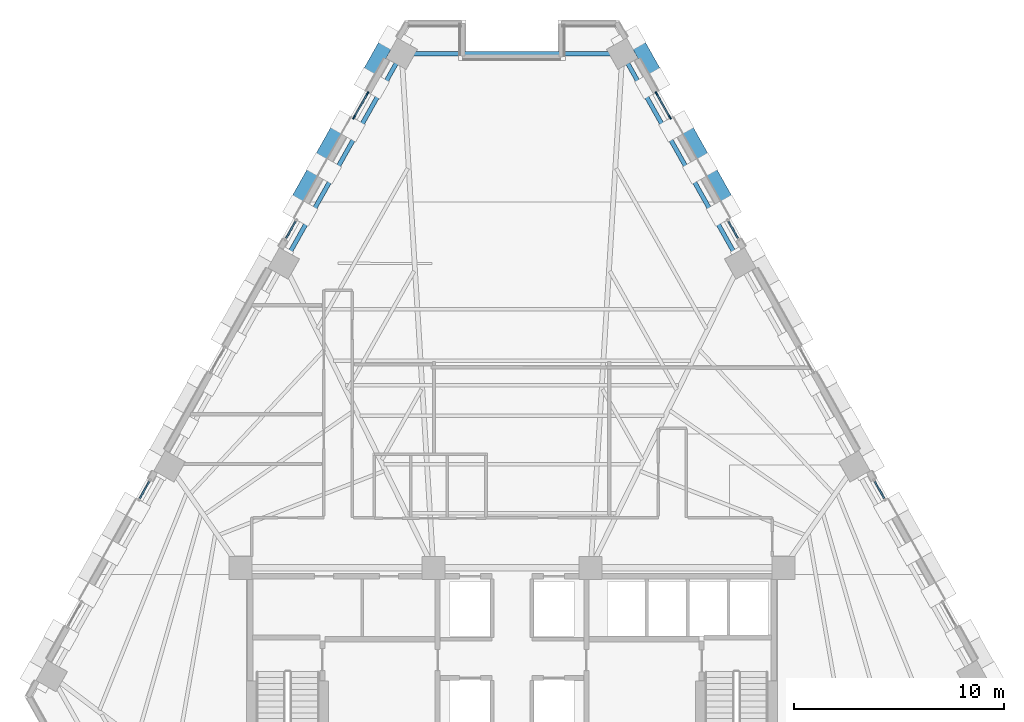
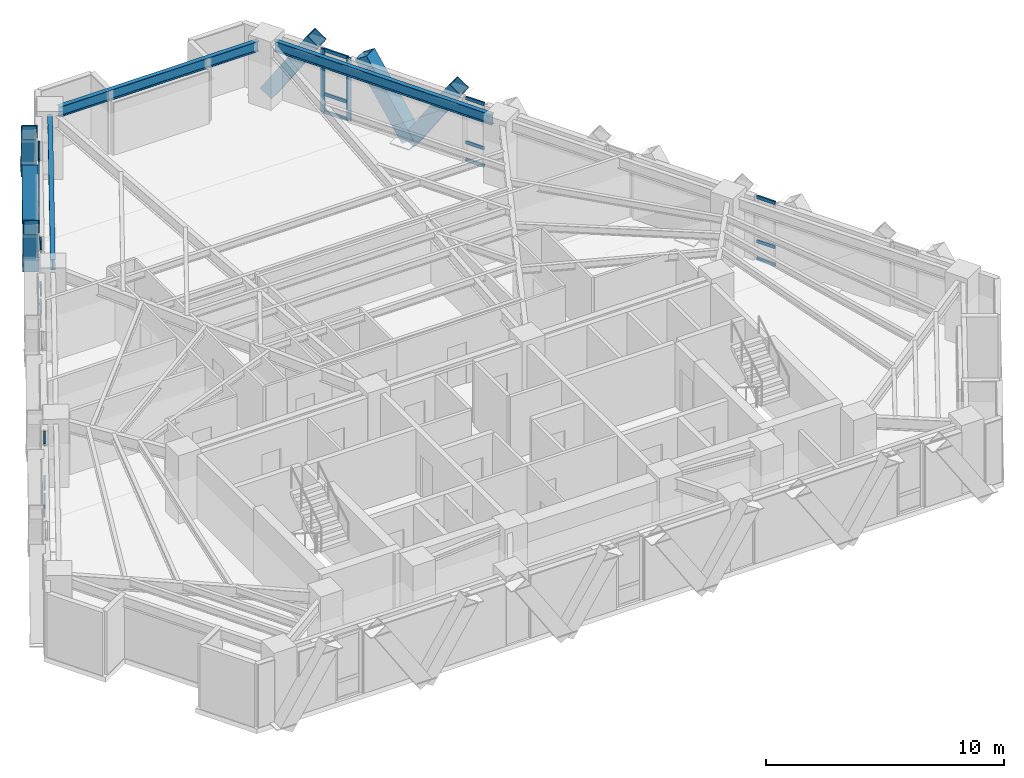
# One storey, part 5 of 13: 28 members, 3 beams, 6 elements without a shape of their own.
"""IFC4 building model written with IfcOpenShell, lengths in metres."""

import ifcopenshell
import ifcopenshell.guid

model = None  # the IFC model being written
_history = None  # IfcOwnerHistory: only IFC2X3 demands one
_inside = {}  # id of a spatial element -> (the spatial element, [elements in it])
_under = {}  # id of a project, library or spatial element -> (it, [spatial elements below it])
_declared = {}  # id of a project -> (the project, [libraries it declares])
_typed = {}  # id of a type object -> (the type object, [elements of that type])
_made_of = {}  # id of a material, layer set ... -> (it, [elements and type objects made of it])


def new_model(schema):
    """Start an empty IFC model of exactly this schema.

    Asked for "IFC4X3", IfcOpenShell would pick the latest addendum, in which some entities
    have other attributes; the version numbers below select the first issue.
    IFC2X3 requires an IfcOwnerHistory on every rooted entity: one is made here for all.
    """
    global model, _history
    if schema == "IFC4X3":
        model = ifcopenshell.file(schema_version=(4, 3, 0, 0))
    else:
        model = ifcopenshell.file(schema=schema)
    _inside.clear()
    _under.clear()
    _declared.clear()
    _typed.clear()
    _made_of.clear()
    _history = None
    if model.schema == "IFC2X3":
        org = make("IfcOrganization", Name="unknown")
        user = make(
            "IfcPersonAndOrganization",
            ThePerson=make("IfcPerson", FamilyName="unknown"),
            TheOrganization=org,
        )
        app = make(
            "IfcApplication",
            ApplicationDeveloper=org,
            Version="unknown",
            ApplicationFullName="unknown",
            ApplicationIdentifier="unknown",
        )
        _history = make(
            "IfcOwnerHistory",
            OwningUser=user,
            OwningApplication=app,
            ChangeAction="ADDED",
            CreationDate=0,
        )
    return model


def make(cls, **values):
    """One entity of the class cls with the attributes given. An attribute that is None is left unset."""
    return model.create_entity(
        cls, **{name: value for name, value in values.items() if value is not None}
    )


def rooted(cls, **values):
    """An entity with a GlobalId (a new one), such as an element, a storey or a relation."""
    return make(cls, GlobalId=ifcopenshell.guid.new(), OwnerHistory=_history, **values)


def si_unit(unit_type, name, prefix=None):
    """IfcSIUnit, for example si_unit("LENGTHUNIT", "METRE", prefix="MILLI")."""
    return make("IfcSIUnit", UnitType=unit_type, Prefix=prefix, Name=name)


def assignment(units):
    """IfcUnitAssignment: the units of a project."""
    return None if units is None else make("IfcUnitAssignment", Units=units)


def point(xyz):
    """IfcCartesianPoint."""
    return None if xyz is None else make("IfcCartesianPoint", Coordinates=xyz)


def direction(xyz):
    """IfcDirection."""
    return None if xyz is None else make("IfcDirection", DirectionRatios=xyz)


def frame(location, z_axis=None, x_axis=None):
    """IfcAxis2Placement3D, a coordinate frame: its origin and axes. An axis left out is left unset."""
    return make(
        "IfcAxis2Placement3D",
        Location=point(location),
        Axis=direction(z_axis),
        RefDirection=direction(x_axis),
    )


def frame_2d(location, x_axis=None):
    """IfcAxis2Placement2D, a coordinate frame in the plane: its origin and x axis."""
    return make(
        "IfcAxis2Placement2D", Location=point(location), RefDirection=direction(x_axis)
    )


def origin():
    """The frame at (0, 0, 0) with its axes left unset."""
    return frame((0.0, 0.0, 0.0))


def origin_2d():
    """The frame at (0, 0) in the plane with its x axis left unset."""
    return frame_2d((0.0, 0.0))


def place(relative_to, where):
    """IfcLocalPlacement: puts the frame where relative to a parent placement (None: the world)."""
    return make(
        "IfcLocalPlacement", PlacementRelTo=relative_to, RelativePlacement=where
    )


def context(
    kind, dimensions, precision=None, world=None, true_north=None, identifier=None
):
    """IfcGeometricRepresentationContext, for example the 3D "Model" context."""
    return make(
        "IfcGeometricRepresentationContext",
        ContextIdentifier=identifier,
        ContextType=kind,
        CoordinateSpaceDimension=dimensions,
        Precision=precision,
        WorldCoordinateSystem=world,
        TrueNorth=true_north,
    )


def subcontext(parent, identifier, kind, view, scale=None):
    """IfcGeometricRepresentationSubContext, for example "Body" below "Model"."""
    return make(
        "IfcGeometricRepresentationSubContext",
        ContextIdentifier=identifier,
        ContextType=kind,
        ParentContext=parent,
        TargetScale=scale,
        TargetView=view,
    )


def project(units=None, contexts=None):
    """IfcProject with its units and contexts."""
    return rooted(
        "IfcProject",
        Name="project",
        RepresentationContexts=contexts,
        UnitsInContext=assignment(units),
    )


def spatial(cls, under=None, at=None, **own):
    """A site, building, storey or space (cls), placed at a placement, below another one or the project."""
    s = rooted(cls, ObjectPlacement=at, **own)
    if under is not None:
        _under.setdefault(under.id(), (under, []))[1].append(s)
    return s


def profile(cls, at=None, kind="AREA", **sizes):
    """A parametric profile (cls). Its sizes go by their IFC names, for example OverallWidth=200.0."""
    return make(cls, ProfileType=kind, Position=at, **sizes)


def rectangle(**sizes):
    """IfcRectangleProfileDef."""
    return profile("IfcRectangleProfileDef", **sizes)


def hollow_rectangle(**sizes):
    """IfcRectangleHollowProfileDef."""
    return profile("IfcRectangleHollowProfileDef", **sizes)


def i_section(**sizes):
    """IfcIShapeProfileDef."""
    return profile("IfcIShapeProfileDef", **sizes)


def extrude(swept, where, along, depth):
    """IfcExtrudedAreaSolid: the profile swept, set in the frame where, extruded along a direction by depth."""
    return make(
        "IfcExtrudedAreaSolid",
        SweptArea=swept,
        Position=where,
        ExtrudedDirection=direction(along),
        Depth=depth,
    )


def shape(context_of_items, identifier, shape_type, items):
    """IfcShapeRepresentation: the items that make up one representation, for example the "Body"."""
    return make(
        "IfcShapeRepresentation",
        ContextOfItems=context_of_items,
        RepresentationIdentifier=identifier,
        RepresentationType=shape_type,
        Items=items,
    )


def material(Name=None, Category=None):
    """IfcMaterial."""
    return make("IfcMaterial", Name=Name, Category=Category)


def material_profile(
    of_material, cross_section, Name=None, Category=None, Priority=None
):
    """IfcMaterialProfile: a cross section and its material."""
    return make(
        "IfcMaterialProfile",
        Name=Name,
        Material=of_material,
        Profile=cross_section,
        Priority=Priority,
        Category=Category,
    )


def profile_set(profiles, Name=None, composite=None):
    """IfcMaterialProfileSet."""
    return make(
        "IfcMaterialProfileSet",
        Name=Name,
        MaterialProfiles=profiles,
        CompositeProfile=composite,
    )


def made_of(thing, what):
    """Note that an element or type object is made of a material, layer set ...; save() writes the relation."""
    if what is not None:
        _made_of.setdefault(what.id(), (what, []))[1].append(thing)
    return thing


def type_object(cls, material=None, **own):
    """A type object (cls), such as IfcWallType, which elements share."""
    return made_of(rooted(cls, **own), material)


def element(
    cls,
    number,
    at=None,
    inside=None,
    cuts=None,
    type_object=None,
    material=None,
    context=None,
    identifier="Body",
    shape_type=None,
    held_by="IfcProductDefinitionShape",
    body=None,
    shapes=None,
    **own,
):
    """One element of the class cls, such as IfcWall. Its Tag is "e" and its number.

    at: its placement. inside: the storey or other place that contains it. cuts: it is an
    opening in that element (IfcRelVoidsElement). A single representation is given by context,
    identifier, shape_type and body (its items); several are given by shapes. held_by: the class
    of the entity that holds the representations. save() writes the other relations.
    """
    e = rooted(cls, Tag="e%d" % number, ObjectPlacement=at, **own)
    if body is not None:
        shapes = [shape(context, identifier, shape_type, body)]
    if shapes is not None:
        e.Representation = make(held_by, Representations=shapes)
    if inside is not None:
        _inside.setdefault(inside.id(), (inside, []))[1].append(e)
    if cuts is not None:
        rooted(
            "IfcRelVoidsElement", RelatingBuildingElement=cuts, RelatedOpeningElement=e
        )
    if type_object is not None:
        _typed.setdefault(type_object.id(), (type_object, []))[1].append(e)
    return made_of(e, material)


def aggregate(whole, parts):
    """IfcRelAggregates: a whole, such as a stair, and the parts it consists of."""
    return rooted("IfcRelAggregates", RelatingObject=whole, RelatedObjects=parts)


def save(model, path):
    """Write the relations noted so far, then the file.

    IfcRelAggregates (storeys below a building ...), IfcRelContainedInSpatialStructure (elements
    in a storey), IfcRelDefinesByType, IfcRelAssociatesMaterial and IfcRelDeclares: one each for
    every whole, place, type object, material and project.
    """
    for whole, parts in _under.values():
        aggregate(whole, parts)
    for where, things in _inside.values():
        rooted(
            "IfcRelContainedInSpatialStructure",
            RelatedElements=things,
            RelatingStructure=where,
        )
    for kind, things in _typed.values():
        rooted("IfcRelDefinesByType", RelatedObjects=things, RelatingType=kind)
    for what, things in _made_of.values():
        rooted("IfcRelAssociatesMaterial", RelatedObjects=things, RelatingMaterial=what)
    for by, libraries in _declared.values():
        rooted("IfcRelDeclares", RelatingContext=by, RelatedDefinitions=libraries)
    model.write(path)


model = new_model("IFC4")

# Units and contexts
model_context = context("Model", 3, precision=1e-05, world=origin(), true_north=direction((0.0, 1.0)))
body_context = subcontext(model_context, "Body", "Model", "MODEL_VIEW")
ifc_project = project(units=[si_unit("LENGTHUNIT", "METRE"), si_unit("AREAUNIT", "SQUARE_METRE"), si_unit("VOLUMEUNIT", "CUBIC_METRE"), si_unit("PLANEANGLEUNIT", "RADIAN"), si_unit("MASSUNIT", "GRAM", prefix="KILO")], contexts=[model_context])

# Site, building, storey
site_placement = place(None, origin())
site = spatial("IfcSite", under=ifc_project, at=site_placement, CompositionType="ELEMENT")
building_placement = place(site_placement, origin())
building = spatial("IfcBuilding", under=site, at=building_placement, Name="Quenlor Broadcast Tower", CompositionType="ELEMENT")
storey_placement = place(building_placement, frame((0.0, 0.0, 119.5)))
storey = spatial("IfcBuildingStorey", under=building, at=storey_placement, Name="L32", CompositionType="ELEMENT", Elevation=119.5)

# Curtain wall, members
ifc_material_1 = material(Name="Architectural Terracotta and Low-E Glazing", Category="masonry")
curtain_wall_type = type_object("IfcCurtainWallType", Name="Unitised Terracotta Curtain Wall System Z2", PredefinedType="NOTDEFINED", material=ifc_material_1)
curtain_wall_1_placement = place(storey_placement, origin())
curtain_wall_1 = element("IfcCurtainWall", 1, at=curtain_wall_1_placement, inside=storey, type_object=curtain_wall_type, Name="L32 Curtain Wall CW2 (L32-NEA-G1)", PredefinedType="NOTDEFINED")
ifc_material_2 = material(Name="Aluminium 6063-T6", Category="aluminium")
ifc_material_profile_1 = material_profile(ifc_material_2, rectangle(XDim=0.074951171875, YDim=0.199951171875, at=origin_2d()))
ifc_profile_set_1 = profile_set([ifc_material_profile_1], Name="Aluminium 6063-T6 MULL75x200")
member_type_1 = type_object("IfcMemberType", Name="CW2 Aluminium Mullion MULL_CW2", PredefinedType="MULLION", material=ifc_profile_set_1)
member_1_placement = place(storey_placement, frame((6.893310546875, 17.81884765625, 0.0), z_axis=(0.0, 0.0, 1.0), x_axis=(0.871583366376, 0.490247320704, 0.0)))
member_1 = element("IfcMember", 2, at=member_1_placement, type_object=member_type_1, Name="CW2 mullion 1", PredefinedType="MULLION", context=body_context, shape_type="SweptSolid", body=[
    extrude(rectangle(XDim=0.074951171875, YDim=0.199951171875, at=origin_2d()), origin(), (0.0, 0.0, 1.0), 3.25),
])
member_2_placement = place(storey_placement, frame((7.525390625, 16.695068359375, 0.0), z_axis=(0.0, 0.0, 1.0), x_axis=(0.871583366376, 0.490247320704, 0.0)))
member_2 = element("IfcMember", 3, at=member_2_placement, type_object=member_type_1, Name="CW2 mullion 2", PredefinedType="MULLION", context=body_context, shape_type="SweptSolid", body=[
    extrude(rectangle(XDim=0.074951171875, YDim=0.199951171875, at=origin_2d()), origin(), (0.0, 0.0, 1.0), 3.25),
])

curtain_wall_2_placement = place(storey_placement, origin())
curtain_wall_2 = element("IfcCurtainWall", 4, at=curtain_wall_2_placement, inside=storey, type_object=curtain_wall_type, Name="L32 Curtain Wall CW2 (L32-NWC-G2)", PredefinedType="NOTDEFINED")
member_3_placement = place(storey_placement, frame((-7.525390625, 16.695068359375, 0.0), z_axis=(0.0, 0.0, 1.0), x_axis=(-0.871583366376, 0.490247320704, 0.0)))
member_3 = element("IfcMember", 5, at=member_3_placement, type_object=member_type_1, Name="CW2 mullion 1", PredefinedType="MULLION", context=body_context, shape_type="SweptSolid", body=[
    extrude(rectangle(XDim=0.074951171875, YDim=0.199951171875, at=origin_2d()), origin(), (0.0, 0.0, 1.0), 3.25),
])
member_4_placement = place(storey_placement, frame((-6.893310546875, 17.81884765625, 0.0), z_axis=(0.0, 0.0, 1.0), x_axis=(-0.871583366376, 0.490247320704, 0.0)))
member_4 = element("IfcMember", 6, at=member_4_placement, type_object=member_type_1, Name="CW2 mullion 2", PredefinedType="MULLION", context=body_context, shape_type="SweptSolid", body=[
    extrude(rectangle(XDim=0.074951171875, YDim=0.199951171875, at=origin_2d()), origin(), (0.0, 0.0, 1.0), 3.25),
])

# Member
ifc_material_3 = material(Name="Aluminium 6063-T6", Category="aluminium")
ifc_material_profile_2 = material_profile(ifc_material_3, rectangle(XDim=0.074951171875, YDim=0.1650390625, at=origin_2d()))
ifc_profile_set_2 = profile_set([ifc_material_profile_2], Name="Aluminium 6063-T6 TRAN75x165")
member_type_2 = type_object("IfcMemberType", Name="CW2 Aluminium Transom TRAN_CW2", PredefinedType="USERDEFINED", material=ifc_profile_set_2)
member_5_placement = place(storey_placement, frame((6.91162109375, 17.7861328125, 0.03759765625), z_axis=(0.490347143438, -0.871527210661, 0.0), x_axis=(0.871527210661, 0.490347143438, 0.0)))
member_5 = element("IfcMember", 7, at=member_5_placement, type_object=member_type_2, Name="CW2 transom 1.1", ObjectType="TRANSOM", PredefinedType="USERDEFINED", context=body_context, shape_type="SweptSolid", body=[
    extrude(rectangle(XDim=0.074951171875, YDim=0.1650390625, at=origin_2d()), origin(), (0.0, 0.0, 1.0), 1.21435546875),
])

member_6_placement = place(storey_placement, frame((6.91162109375, 17.7861328125, 0.949951171875), z_axis=(0.490347143438, -0.871527210661, 0.0), x_axis=(0.871527210661, 0.490347143438, 0.0)))
member_6 = element("IfcMember", 8, at=member_6_placement, type_object=member_type_2, Name="CW2 transom 1.2", ObjectType="TRANSOM", PredefinedType="USERDEFINED", context=body_context, shape_type="SweptSolid", body=[
    extrude(rectangle(XDim=0.074951171875, YDim=0.1650390625, at=origin_2d()), origin(), (0.0, 0.0, 1.0), 1.21435546875),
])

member_7_placement = place(storey_placement, frame((6.91162109375, 17.7861328125, 3.21240234375), z_axis=(0.490347143438, -0.871527210661, 0.0), x_axis=(0.871527210661, 0.490347143438, 0.0)))
member_7 = element("IfcMember", 9, at=member_7_placement, type_object=member_type_2, Name="CW2 transom 1.3", ObjectType="TRANSOM", PredefinedType="USERDEFINED", context=body_context, shape_type="SweptSolid", body=[
    extrude(rectangle(XDim=0.074951171875, YDim=0.1650390625, at=origin_2d()), origin(), (0.0, 0.0, 1.0), 1.21435546875),
])

aggregate(curtain_wall_1, [member_1, member_2, member_5, member_6, member_7])

# Curtain wall, members
curtain_wall_3_placement = place(storey_placement, origin())
curtain_wall_3 = element("IfcCurtainWall", 10, at=curtain_wall_3_placement, inside=storey, type_object=curtain_wall_type, Name="L32 Curtain Wall CW2 (L32-NEA-G2)", PredefinedType="NOTDEFINED")
member_8_placement = place(storey_placement, frame((10.32470703125, 11.718505859375, 0.03759765625), z_axis=(0.490363403455, -0.871518062092, 0.0), x_axis=(0.871518062092, 0.490363403455, 0.0)))
member_8 = element("IfcMember", 11, at=member_8_placement, type_object=member_type_2, Name="CW2 transom 1.1", ObjectType="TRANSOM", PredefinedType="USERDEFINED", context=body_context, shape_type="SweptSolid", body=[
    extrude(rectangle(XDim=0.074951171875, YDim=0.1650390625, at=origin_2d()), origin(), (0.0, 0.0, 1.0), 0.90771484375),
])
member_9_placement = place(storey_placement, frame((10.32470703125, 11.718505859375, 0.949951171875), z_axis=(0.490363403455, -0.871518062092, 0.0), x_axis=(0.871518062092, 0.490363403455, 0.0)))
member_9 = element("IfcMember", 12, at=member_9_placement, type_object=member_type_2, Name="CW2 transom 1.2", ObjectType="TRANSOM", PredefinedType="USERDEFINED", context=body_context, shape_type="SweptSolid", body=[
    extrude(rectangle(XDim=0.074951171875, YDim=0.1650390625, at=origin_2d()), origin(), (0.0, 0.0, 1.0), 0.90771484375),
])
member_10_placement = place(storey_placement, frame((10.32470703125, 11.718505859375, 3.21240234375), z_axis=(0.490363403455, -0.871518062092, 0.0), x_axis=(0.871518062092, 0.490363403455, 0.0)))
member_10 = element("IfcMember", 13, at=member_10_placement, type_object=member_type_2, Name="CW2 transom 1.3", ObjectType="TRANSOM", PredefinedType="USERDEFINED", context=body_context, shape_type="SweptSolid", body=[
    extrude(rectangle(XDim=0.074951171875, YDim=0.1650390625, at=origin_2d()), origin(), (0.0, 0.0, 1.0), 0.90771484375),
])
aggregate(curtain_wall_3, [member_8, member_9, member_10])

curtain_wall_4_placement = place(storey_placement, origin())
curtain_wall_4 = element("IfcCurtainWall", 14, at=curtain_wall_4_placement, inside=storey, type_object=curtain_wall_type, Name="L32 Curtain Wall CW2 (L32-NEC-G1)", PredefinedType="NOTDEFINED")
member_11_placement = place(storey_placement, frame((17.30126953125, -0.684326171875, 0.03759765625), z_axis=(0.490363403455, -0.871518062092, 0.0), x_axis=(0.871518062092, 0.490363403455, 0.0)))
member_11 = element("IfcMember", 15, at=member_11_placement, type_object=member_type_2, Name="CW2 transom 1.1", ObjectType="TRANSOM", PredefinedType="USERDEFINED", context=body_context, shape_type="SweptSolid", body=[
    extrude(rectangle(XDim=0.074951171875, YDim=0.1650390625, at=origin_2d()), origin(), (0.0, 0.0, 1.0), 0.90771484375),
])
member_12_placement = place(storey_placement, frame((17.30126953125, -0.684326171875, 0.949951171875), z_axis=(0.490363403455, -0.871518062092, 0.0), x_axis=(0.871518062092, 0.490363403455, 0.0)))
member_12 = element("IfcMember", 16, at=member_12_placement, type_object=member_type_2, Name="CW2 transom 1.2", ObjectType="TRANSOM", PredefinedType="USERDEFINED", context=body_context, shape_type="SweptSolid", body=[
    extrude(rectangle(XDim=0.074951171875, YDim=0.1650390625, at=origin_2d()), origin(), (0.0, 0.0, 1.0), 0.90771484375),
])
member_13_placement = place(storey_placement, frame((17.30126953125, -0.684326171875, 3.21240234375), z_axis=(0.490363403455, -0.871518062092, 0.0), x_axis=(0.871518062092, 0.490363403455, 0.0)))
member_13 = element("IfcMember", 17, at=member_13_placement, type_object=member_type_2, Name="CW2 transom 1.3", ObjectType="TRANSOM", PredefinedType="USERDEFINED", context=body_context, shape_type="SweptSolid", body=[
    extrude(rectangle(XDim=0.074951171875, YDim=0.1650390625, at=origin_2d()), origin(), (0.0, 0.0, 1.0), 0.90771484375),
])
aggregate(curtain_wall_4, [member_11, member_12, member_13])

curtain_wall_5_placement = place(storey_placement, origin())
curtain_wall_5 = element("IfcCurtainWall", 18, at=curtain_wall_5_placement, inside=storey, type_object=curtain_wall_type, Name="L32 Curtain Wall CW2 (L32-NWA-G2)", PredefinedType="NOTDEFINED")
member_14_placement = place(storey_placement, frame((-17.746337890625, -1.475341796875, 0.03759765625), z_axis=(0.490363403455, 0.871518062092, 0.0), x_axis=(-0.871518062092, 0.490363403455, 0.0)))
member_14 = element("IfcMember", 19, at=member_14_placement, type_object=member_type_2, Name="CW2 transom 1.1", ObjectType="TRANSOM", PredefinedType="USERDEFINED", context=body_context, shape_type="SweptSolid", body=[
    extrude(rectangle(XDim=0.074951171875, YDim=0.1650390625, at=origin_2d()), origin(), (0.0, 0.0, 1.0), 0.90771484375),
])
member_15_placement = place(storey_placement, frame((-17.746337890625, -1.475341796875, 0.949951171875), z_axis=(0.490363403455, 0.871518062092, 0.0), x_axis=(-0.871518062092, 0.490363403455, 0.0)))
member_15 = element("IfcMember", 20, at=member_15_placement, type_object=member_type_2, Name="CW2 transom 1.2", ObjectType="TRANSOM", PredefinedType="USERDEFINED", context=body_context, shape_type="SweptSolid", body=[
    extrude(rectangle(XDim=0.074951171875, YDim=0.1650390625, at=origin_2d()), origin(), (0.0, 0.0, 1.0), 0.90771484375),
])
member_16_placement = place(storey_placement, frame((-17.746337890625, -1.475341796875, 3.21240234375), z_axis=(0.490363403455, 0.871518062092, 0.0), x_axis=(-0.871518062092, 0.490363403455, 0.0)))
member_16 = element("IfcMember", 21, at=member_16_placement, type_object=member_type_2, Name="CW2 transom 1.3", ObjectType="TRANSOM", PredefinedType="USERDEFINED", context=body_context, shape_type="SweptSolid", body=[
    extrude(rectangle(XDim=0.074951171875, YDim=0.1650390625, at=origin_2d()), origin(), (0.0, 0.0, 1.0), 0.90771484375),
])
aggregate(curtain_wall_5, [member_14, member_15, member_16])

curtain_wall_6_placement = place(storey_placement, origin())
curtain_wall_6 = element("IfcCurtainWall", 22, at=curtain_wall_6_placement, inside=storey, type_object=curtain_wall_type, Name="L32 Curtain Wall CW2 (L32-NWC-G1)", PredefinedType="NOTDEFINED")
member_17_placement = place(storey_placement, frame((-10.769775390625, 10.927490234375, 0.03759765625), z_axis=(0.490363403455, 0.871518062092, 0.0), x_axis=(-0.871518062092, 0.490363403455, 0.0)))
member_17 = element("IfcMember", 23, at=member_17_placement, type_object=member_type_2, Name="CW2 transom 1.1", ObjectType="TRANSOM", PredefinedType="USERDEFINED", context=body_context, shape_type="SweptSolid", body=[
    extrude(rectangle(XDim=0.074951171875, YDim=0.1650390625, at=origin_2d()), origin(), (0.0, 0.0, 1.0), 0.90771484375),
])
member_18_placement = place(storey_placement, frame((-10.769775390625, 10.927490234375, 0.949951171875), z_axis=(0.490363403455, 0.871518062092, 0.0), x_axis=(-0.871518062092, 0.490363403455, 0.0)))
member_18 = element("IfcMember", 24, at=member_18_placement, type_object=member_type_2, Name="CW2 transom 1.2", ObjectType="TRANSOM", PredefinedType="USERDEFINED", context=body_context, shape_type="SweptSolid", body=[
    extrude(rectangle(XDim=0.074951171875, YDim=0.1650390625, at=origin_2d()), origin(), (0.0, 0.0, 1.0), 0.90771484375),
])
member_19_placement = place(storey_placement, frame((-10.769775390625, 10.927490234375, 3.21240234375), z_axis=(0.490363403455, 0.871518062092, 0.0), x_axis=(-0.871518062092, 0.490363403455, 0.0)))
member_19 = element("IfcMember", 25, at=member_19_placement, type_object=member_type_2, Name="CW2 transom 1.3", ObjectType="TRANSOM", PredefinedType="USERDEFINED", context=body_context, shape_type="SweptSolid", body=[
    extrude(rectangle(XDim=0.074951171875, YDim=0.1650390625, at=origin_2d()), origin(), (0.0, 0.0, 1.0), 0.90771484375),
])
aggregate(curtain_wall_6, [member_17, member_18, member_19])

# Member
member_20_placement = place(storey_placement, frame((-7.507080078125, 16.727783203125, 0.03759765625), z_axis=(0.490347143438, 0.871527210661, 0.0), x_axis=(-0.871527210661, 0.490347143438, 0.0)))
member_20 = element("IfcMember", 26, at=member_20_placement, type_object=member_type_2, Name="CW2 transom 1.1", ObjectType="TRANSOM", PredefinedType="USERDEFINED", context=body_context, shape_type="SweptSolid", body=[
    extrude(rectangle(XDim=0.074951171875, YDim=0.1650390625, at=origin_2d()), origin(), (0.0, 0.0, 1.0), 1.21435546875),
])

member_21_placement = place(storey_placement, frame((-7.507080078125, 16.727783203125, 0.949951171875), z_axis=(0.490347143438, 0.871527210661, 0.0), x_axis=(-0.871527210661, 0.490347143438, 0.0)))
member_21 = element("IfcMember", 27, at=member_21_placement, type_object=member_type_2, Name="CW2 transom 1.2", ObjectType="TRANSOM", PredefinedType="USERDEFINED", context=body_context, shape_type="SweptSolid", body=[
    extrude(rectangle(XDim=0.074951171875, YDim=0.1650390625, at=origin_2d()), origin(), (0.0, 0.0, 1.0), 1.21435546875),
])

member_22_placement = place(storey_placement, frame((-7.507080078125, 16.727783203125, 3.21240234375), z_axis=(0.490347143438, 0.871527210661, 0.0), x_axis=(-0.871527210661, 0.490347143438, 0.0)))
member_22 = element("IfcMember", 28, at=member_22_placement, type_object=member_type_2, Name="CW2 transom 1.3", ObjectType="TRANSOM", PredefinedType="USERDEFINED", context=body_context, shape_type="SweptSolid", body=[
    extrude(rectangle(XDim=0.074951171875, YDim=0.1650390625, at=origin_2d()), origin(), (0.0, 0.0, 1.0), 1.21435546875),
])

aggregate(curtain_wall_2, [member_3, member_4, member_20, member_21, member_22])

# Members
ifc_material_4 = material(Name="Steel S355", Category="steel")
ifc_material_profile_3 = material_profile(ifc_material_4, hollow_rectangle(XDim=0.679931640625, YDim=0.679931640625, WallThickness=0.030029296875, at=origin_2d()))
ifc_profile_set_3 = profile_set([ifc_material_profile_3], Name="Steel S355 RHS680x680x30")
member_type_3 = type_object("IfcMemberType", Name="Perimeter Diagonal Lattice Brace Z2 Steel S355 RHS680x30", PredefinedType="BRACE", material=ifc_profile_set_3)
for number, where, z_axis, x_axis, name in (
    (29, (5.85400390625, 20.472412109375, -0.1201171875), (0.26858823371, -0.477600411236, 0.836515515636), (0.871623880158, 0.490175286544, 0.0), "L32 Perimeter Diamond Lattice NE-C1S"),
    (30, (9.25341796875, 14.428955078125, -0.1201171875), (-0.268642373731, 0.477592925498, 0.83650240439), (-0.871578380919, -0.490256183964, 0.0), "L32 Perimeter Diamond Lattice NE-C1B"),
    (31, (9.26708984375, 14.40478515625, -0.1201171875), (0.268642373731, -0.477592925498, 0.83650240439), (0.871578380919, 0.490256183964, 0.0), "L32 Perimeter Diamond Lattice NE-C2S"),
    (32, (-9.26708984375, 14.40478515625, -0.1201171875), (-0.268642373731, -0.477592925498, 0.83650240439), (0.871578380919, -0.490256183964, 0.0), "L32 Perimeter Diamond Lattice NW-C4B"),
    (33, (-9.25341796875, 14.428955078125, -0.1201171875), (0.268642373731, 0.477592925498, 0.83650240439), (-0.871578380919, 0.490256183964, 0.0), "L32 Perimeter Diamond Lattice NW-C5S"),
    (34, (-5.85400390625, 20.472412109375, -0.1201171875), (-0.26858823371, -0.477600411236, 0.836515515636), (0.871623880158, -0.490175286544, 0.0), "L32 Perimeter Diamond Lattice NW-C5B"),
):
    element("IfcMember", number, at=place(storey_placement, frame(where, z_axis=z_axis, x_axis=x_axis)), inside=storey, type_object=member_type_3, Name=name, PredefinedType="BRACE", context=body_context, shape_type="SweptSolid", body=[
        extrude(hollow_rectangle(XDim=0.679931640625, YDim=0.679931640625, WallThickness=0.030029296875, at=origin_2d()), origin(), (0.0, 0.0, 1.0), 4.18408203125),
    ])

# Beams
ifc_material_5 = material(Name="Steel S355", Category="steel")
ifc_material_profile_4 = material_profile(ifc_material_5, i_section(OverallWidth=0.208984375, OverallDepth=0.5283203125, WebThickness=0.009521484375, FlangeThickness=0.01318359375, FilletRadius=0.013916015625, at=origin_2d()))
ifc_profile_set_4 = profile_set([ifc_material_profile_4], Name="Steel S355 530UB82.0")
beam_type = type_object("IfcBeamType", Name="Perimeter Spandrel Beam Z2 Steel S355 530UB82.0", PredefinedType="SPANDREL", material=ifc_profile_set_4)
beam_1_placement = place(storey_placement, frame((10.685791015625, 10.076904296875, 2.98583984375), z_axis=(-0.490236213386, 0.871589613916, 0.0), x_axis=(-0.871589613916, -0.490236213386, 0.0)))
element("IfcBeam", 35, at=beam_1_placement, inside=storey, type_object=beam_type, Name="L32 Spandrel Beam NE3-NE4", PredefinedType="SPANDREL", context=body_context, shape_type="SweptSolid", body=[
    extrude(i_section(OverallWidth=0.208984375, OverallDepth=0.5283203125, WebThickness=0.009521484375, FlangeThickness=0.01318359375, FilletRadius=0.013916015625, at=origin_2d()), origin(), (0.0, 0.0, 1.0), 10.65283203125),
])
beam_2_placement = place(storey_placement, frame((4.852294921875, 19.718994140625, 2.98583984375), z_axis=(-1.0, 0.0, 0.0), x_axis=(0.0, -1.0, 0.0)))
element("IfcBeam", 36, at=beam_2_placement, inside=storey, type_object=beam_type, Name="L32 Spandrel Beam NE4-NW1", PredefinedType="SPANDREL", context=body_context, shape_type="SweptSolid", body=[
    extrude(i_section(OverallWidth=0.208984375, OverallDepth=0.5283203125, WebThickness=0.009521484375, FlangeThickness=0.01318359375, FilletRadius=0.013916015625, at=origin_2d()), origin(), (0.0, 0.0, 1.0), 9.70458984375),
])
beam_3_placement = place(storey_placement, frame((-5.46337890625, 19.36181640625, 2.98583984375), z_axis=(-0.490236213386, -0.871589613916, 0.0), x_axis=(0.871589613916, -0.490236213386, 0.0)))
element("IfcBeam", 37, at=beam_3_placement, inside=storey, type_object=beam_type, Name="L32 Spandrel Beam NW1-NW2", PredefinedType="SPANDREL", context=body_context, shape_type="SweptSolid", body=[
    extrude(i_section(OverallWidth=0.208984375, OverallDepth=0.5283203125, WebThickness=0.009521484375, FlangeThickness=0.01318359375, FilletRadius=0.013916015625, at=origin_2d()), origin(), (0.0, 0.0, 1.0), 10.65283203125),
])

save(model, "model.ifc")
